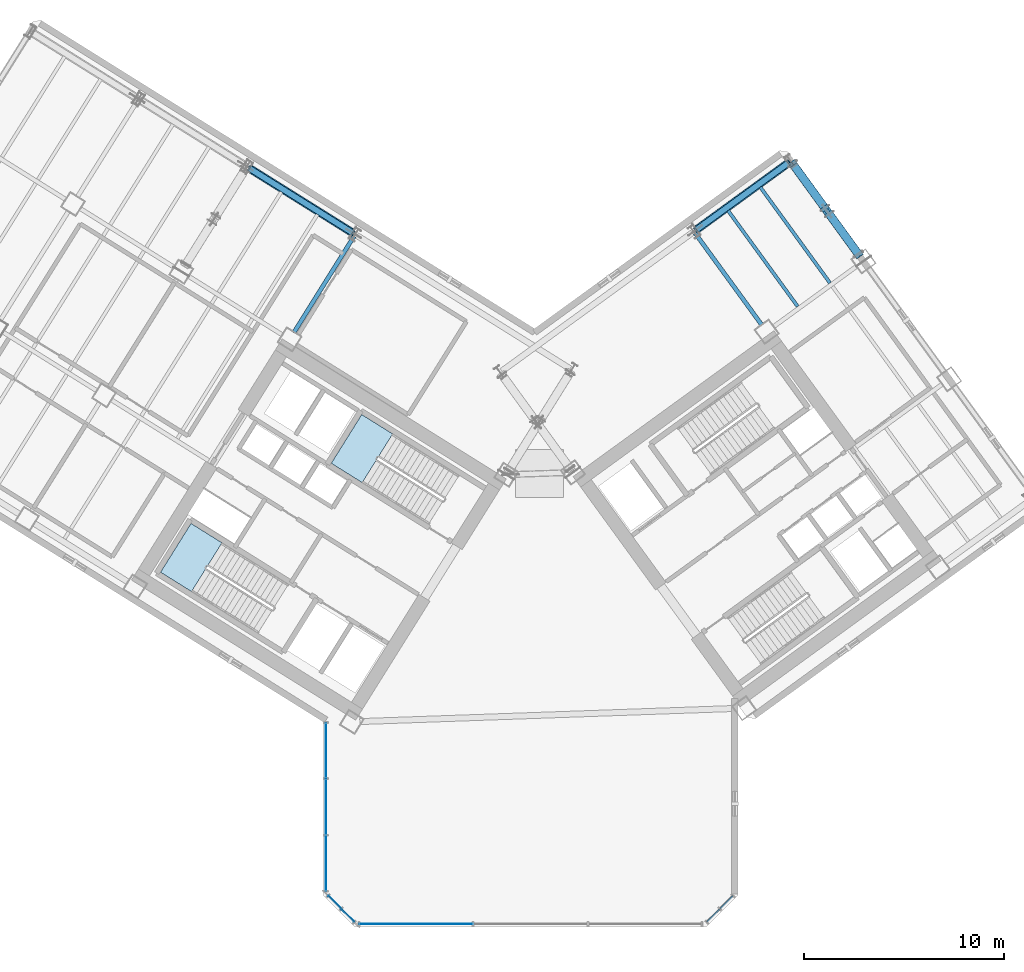
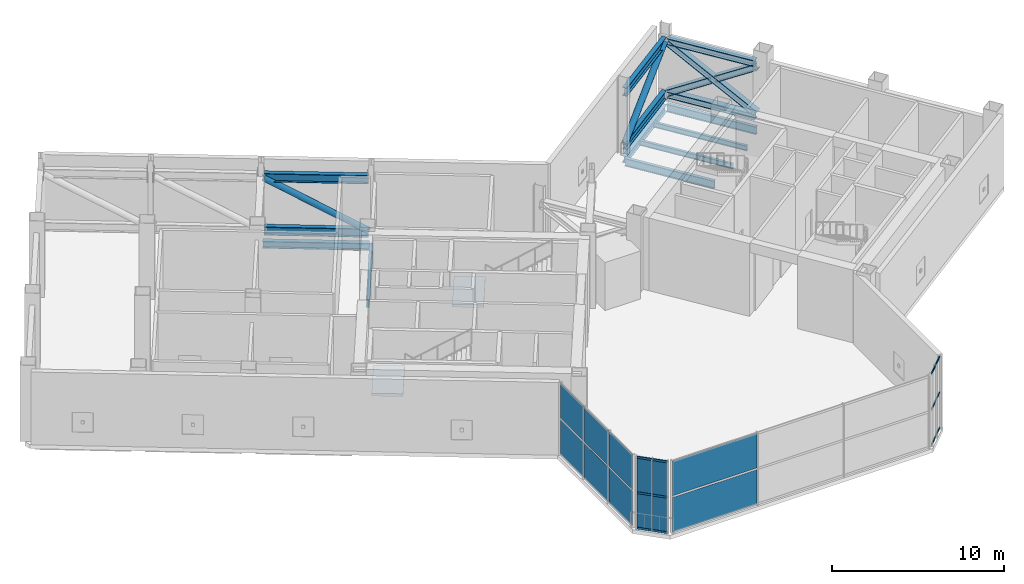
# One storey, part 8 of 21: 23 members, 12 plates, 7 beams, 2 slabs, 6 elements without a shape of their own.
"""IFC4 building model written with IfcOpenShell, lengths in metres."""

from ifc_helpers import new_model, si_unit, direction, frame, origin, origin_2d, place, context, subcontext, project, spatial, polyline, rectangle, hollow_rectangle, hollow_circle, i_section, outline, extrude, source, transform, mapped, material, layer, layer_set, material_profile, profile_set, type_object, element, aggregate, save


model = new_model("IFC4")

# Units and contexts
model_context = context("Model", 3, precision=1e-05, world=origin(), true_north=direction((0.0, 1.0)))
body_context = subcontext(model_context, "Body", "Model", "MODEL_VIEW")
ifc_project = project(units=[si_unit("LENGTHUNIT", "METRE"), si_unit("AREAUNIT", "SQUARE_METRE"), si_unit("VOLUMEUNIT", "CUBIC_METRE"), si_unit("PLANEANGLEUNIT", "RADIAN"), si_unit("MASSUNIT", "GRAM", prefix="KILO")], contexts=[model_context])

# Site, building, storey
site_placement = place(None, origin())
site = spatial("IfcSite", under=ifc_project, at=site_placement, CompositionType="ELEMENT")
building_placement = place(site_placement, origin())
building = spatial("IfcBuilding", under=site, at=building_placement, Name="Tlacorven Tower", CompositionType="ELEMENT")
storey_placement = place(building_placement, frame((0.0, 0.0, 84.60009765625)))
storey = spatial("IfcBuildingStorey", under=building, at=storey_placement, Name="L21", CompositionType="ELEMENT", Elevation=84.60009765625)

# Beams
ifc_material_1 = material(Name="Steel S355J2", Category="steel")
ifc_material_profile_1 = material_profile(ifc_material_1, i_section(OverallWidth=0.300048828125, OverallDepth=0.489990234375, WebThickness=0.011962890625, FlangeThickness=0.02294921875, at=origin_2d()), Name="HEA 500")
ifc_profile_set_1 = profile_set([ifc_material_profile_1], Name="Steel S355J2")
beam_type_1 = type_object("IfcBeamType", Name="BM-SPN-500", PredefinedType="SPANDREL", material=ifc_profile_set_1)
shared_shape_1 = source(origin(), body_context, "Body", "SweptSolid", [
    extrude(i_section(OverallWidth=0.300048828125, OverallDepth=0.489990234375, WebThickness=0.011962890625, FlangeThickness=0.02294921875, at=origin_2d()), origin(), (0.0, 0.0, 1.0), 6.199951171875),
])
beam_1_placement = place(storey_placement, frame((33.128662109375, 36.562255859375, -0.525146484375), z_axis=(-0.848051394107, 0.529913986372, 0.0), x_axis=(-0.529913986372, -0.848051394107, 0.0)))
element("IfcBeam", 1, at=beam_1_placement, inside=storey, type_object=beam_type_1, Name="L21 beam BM-L21-WL1-3", PredefinedType="SPANDREL", context=body_context, shape_type="MappedRepresentation", body=[
    mapped(shared_shape_1, transform((0.0, 0.0, 0.0), scale=1.0)),
])
shared_shape_2 = source(origin(), body_context, "Body", "SweptSolid", [
    extrude(i_section(OverallWidth=0.300048828125, OverallDepth=0.489990234375, WebThickness=0.011962890625, FlangeThickness=0.02294921875, at=origin_2d()), origin(), (0.0, 0.0, 1.0), 5.800048828125),
])
beam_2_placement = place(storey_placement, frame((50.2685546875, 36.713134765625, -0.525146484375), z_axis=(0.809019944521, 0.587781191743, 0.0), x_axis=(-0.587781191743, 0.809019944521, 0.0)))
element("IfcBeam", 2, at=beam_2_placement, inside=storey, type_object=beam_type_1, Name="L21 beam BM-L21-EL4-3", PredefinedType="SPANDREL", context=body_context, shape_type="MappedRepresentation", body=[
    mapped(shared_shape_2, transform((0.0, 0.0, 0.0), scale=1.0)),
])
ifc_material_profile_2 = material_profile(ifc_material_1, i_section(OverallWidth=0.2099609375, OverallDepth=0.550048828125, WebThickness=0.010986328125, FlangeThickness=0.01708984375, at=origin_2d()), Name="IPE 550")
ifc_profile_set_2 = profile_set([ifc_material_profile_2], Name="Steel S355J2")
beam_type_2 = type_object("IfcBeamType", Name="BM-TWR-550", PredefinedType="BEAM", material=ifc_profile_set_2)
shared_shape_3 = source(origin(), body_context, "Body", "SweptSolid", [
    extrude(i_section(OverallWidth=0.2099609375, OverallDepth=0.550048828125, WebThickness=0.010986328125, FlangeThickness=0.01708984375, at=origin_2d()), origin(), (0.0, 0.0, 1.0), 5.7001953125),
])
beam_3_placement = place(storey_placement, frame((33.160400390625, 36.424560546875, -0.55517578125), z_axis=(-0.529906537151, -0.848056048787, 0.0), x_axis=(0.848056048787, -0.529906537151, 0.0)))
element("IfcBeam", 3, at=beam_3_placement, inside=storey, type_object=beam_type_2, Name="L21 beam BM-L21-WT3-1", PredefinedType="BEAM", context=body_context, shape_type="MappedRepresentation", body=[
    mapped(shared_shape_3, transform((0.0, 0.0, 0.0), scale=1.0)),
])
shared_shape_4 = source(origin(), body_context, "Body", "SweptSolid", [
    extrude(i_section(OverallWidth=0.2099609375, OverallDepth=0.550048828125, WebThickness=0.010986328125, FlangeThickness=0.01708984375, at=origin_2d()), origin(), (0.0, 0.0, 1.0), 5.699951171875),
])
for number, where, z_axis, x_axis, name in (
    (4, (53.596923828125, 31.962158203125, -0.55517578125), (-0.587787066966, 0.809015675935, 0.0), (-0.809015675935, -0.587787066966, 0.0), "L21 beam BM-L21-ET3-2"),
    (5, (58.450927734375, 35.48876953125, -0.55517578125), (-0.587787066966, 0.809015675935, 0.0), (-0.809015675935, -0.587787066966, 0.0), "L21 beam BM-L21-ET4-3"),
):
    element("IfcBeam", number, at=place(storey_placement, frame(where, z_axis=z_axis, x_axis=x_axis)), inside=storey, type_object=beam_type_2, Name=name, PredefinedType="BEAM", context=body_context, shape_type="MappedRepresentation", body=[
        mapped(shared_shape_4, transform((0.0, 0.0, 0.0), scale=1.0)),
    ])
ifc_material_profile_3 = material_profile(ifc_material_1, i_section(OverallWidth=0.169921875, OverallDepth=0.360107421875, WebThickness=0.008056640625, FlangeThickness=0.0126953125, at=origin_2d()), Name="IPE 360")
ifc_profile_set_3 = profile_set([ifc_material_profile_3], Name="Steel S355J2")
beam_type_3 = type_object("IfcBeamType", Name="BM-JST-360", PredefinedType="JOIST", material=ifc_profile_set_3)
shared_shape_5 = source(origin(), body_context, "Body", "SweptSolid", [
    extrude(i_section(OverallWidth=0.169921875, OverallDepth=0.360107421875, WebThickness=0.008056640625, FlangeThickness=0.0126953125, at=origin_2d()), origin(), (0.0, 0.0, 1.0), 5.93505859375),
])
for number, where, z_axis, x_axis, name in (
    (6, (55.38525390625, 32.903076171875, -0.460205078125), (-0.58778762431, 0.809015270998, 0.0), (-0.809015270998, -0.58778762431, 0.0), "L21 beam BM-L21-EJ3-3-1"),
    (7, (57.00341796875, 34.07861328125, -0.460205078125), (-0.58778762431, 0.809015270998, 0.0), (-0.809015270998, -0.58778762431, 0.0), "L21 beam BM-L21-EJ3-3-2"),
):
    element("IfcBeam", number, at=place(storey_placement, frame(where, z_axis=z_axis, x_axis=x_axis)), inside=storey, type_object=beam_type_3, Name=name, PredefinedType="JOIST", context=body_context, shape_type="MappedRepresentation", body=[
        mapped(shared_shape_5, transform((0.0, 0.0, 0.0), scale=1.0)),
    ])

# Members
ifc_material_2 = material(Name="Steel S460M", Category="steel")
ifc_material_profile_4 = material_profile(ifc_material_2, i_section(OverallWidth=0.406005859375, OverallDepth=0.416015625, WebThickness=0.02099609375, FlangeThickness=0.032958984375, at=origin_2d()), Name="HD 400X382")
ifc_profile_set_4 = profile_set([ifc_material_profile_4], Name="Steel S460M")
member_type_1 = type_object("IfcMemberType", Name="MB-OUT-DIA", PredefinedType="BRACE", material=ifc_profile_set_4)
shared_shape_6 = source(origin(), body_context, "Body", "SweptSolid", [
    extrude(i_section(OverallWidth=0.406005859375, OverallDepth=0.416015625, WebThickness=0.02099609375, FlangeThickness=0.032958984375, at=origin_2d()), origin(), (0.0, 0.0, 1.0), 2.94580078125),
])
member_1_placement = place(storey_placement, frame((58.45263671875, 35.486328125, 3.98779296875), z_axis=(-0.501827001958, 0.690789110044, -0.520557456531), x_axis=(-0.809050779315, -0.587738748501, 0.0)))
element("IfcMember", 8, at=member_1_placement, inside=storey, type_object=member_type_1, Name="L21 Outrigger Truss Split Diagonal E2-2A", PredefinedType="BRACE", context=body_context, shape_type="MappedRepresentation", body=[
    mapped(shared_shape_6, transform((0.0, 0.0, 0.0), scale=1.0)),
])
shared_shape_7 = source(origin(), body_context, "Body", "SweptSolid", [
    extrude(i_section(OverallWidth=0.406005859375, OverallDepth=0.416015625, WebThickness=0.02099609375, FlangeThickness=0.032958984375, at=origin_2d()), origin(), (0.0, 0.0, 1.0), 3.24560546875),
])
member_2_placement = place(storey_placement, frame((56.75341796875, 37.8251953125, 2.225341796875), z_axis=(-0.501881914989, 0.690764632096, -0.52053699816), x_axis=(-0.809010292828, -0.58779447607, 0.0)))
element("IfcMember", 9, at=member_2_placement, inside=storey, type_object=member_type_1, Name="L21 Outrigger Truss Split Diagonal E2-2B", PredefinedType="BRACE", context=body_context, shape_type="MappedRepresentation", body=[
    mapped(shared_shape_7, transform((0.0, 0.0, 0.0), scale=1.0)),
])
ifc_material_profile_5 = material_profile(ifc_material_2, i_section(OverallWidth=0.300048828125, OverallDepth=0.60009765625, WebThickness=0.015380859375, FlangeThickness=0.030029296875, at=origin_2d()), Name="HEB 600")
ifc_profile_set_5 = profile_set([ifc_material_profile_5], Name="Steel S460M")
member_type_2 = type_object("IfcMemberType", Name="MB-BLT-CHD", PredefinedType="CHORD", material=ifc_profile_set_5)
shared_shape_8 = source(origin(), body_context, "Body", "SweptSolid", [
    extrude(i_section(OverallWidth=0.300048828125, OverallDepth=0.60009765625, WebThickness=0.015380859375, FlangeThickness=0.030029296875, at=origin_2d()), origin(), (0.0, 0.0, 1.0), 6.070068359375),
])
for number, where, z_axis, x_axis, name in (
    (10, (33.073486328125, 36.5966796875, 0.449951171875), (-0.848054789024, 0.529908553255, 0.0), (-0.529908553255, -0.848054789024, 0.0), "L21 Belt Truss Chord W1-B"),
    (11, (33.073486328125, 36.5966796875, 4.22998046875), (-0.848054789024, 0.529908553255, 0.0), (-0.529908553255, -0.848054789024, 0.0), "L21 Belt Truss Chord W1-T"),
):
    element("IfcMember", number, at=place(storey_placement, frame(where, z_axis=z_axis, x_axis=x_axis)), inside=storey, type_object=member_type_2, Name=name, PredefinedType="CHORD", context=body_context, shape_type="MappedRepresentation", body=[
        mapped(shared_shape_8, transform((0.0, 0.0, 0.0), scale=1.0)),
    ])
ifc_material_profile_6 = material_profile(ifc_material_2, hollow_circle(Radius=0.203125, WallThickness=0.02001953125, at=origin_2d()), Name="CHS 406.4X20")
ifc_profile_set_6 = profile_set([ifc_material_profile_6], Name="Steel S460M")
member_type_3 = type_object("IfcMemberType", Name="MB-BLT-DIA", PredefinedType="BRACE", material=ifc_profile_set_6)
shared_shape_9 = source(origin(), body_context, "Body", "SweptSolid", [
    extrude(hollow_circle(Radius=0.203125, WallThickness=0.02001953125, at=origin_2d()), origin(), (0.0, 0.0, 1.0), 7.06298828125),
])
member_3_placement = place(storey_placement, frame((33.078369140625, 36.59375, 0.5439453125), z_axis=(-0.730209253241, 0.456272764155, 0.508536735322), x_axis=(-0.529908724419, -0.848054682072, 0.0)))
element("IfcMember", 12, at=member_3_placement, inside=storey, type_object=member_type_3, Name="L21 Belt Truss Diagonal W1-1", PredefinedType="BRACE", context=body_context, shape_type="MappedRepresentation", body=[
    mapped(shared_shape_9, transform((0.0, 0.0, 0.0), scale=1.0)),
])
ifc_material_profile_7 = material_profile(ifc_material_2, i_section(OverallWidth=0.412109375, OverallDepth=0.43505859375, WebThickness=0.02490234375, FlangeThickness=0.0400390625, at=origin_2d()), Name="HD 400X463")
ifc_profile_set_7 = profile_set([ifc_material_profile_7], Name="Steel S460M")
member_type_4 = type_object("IfcMemberType", Name="MB-OUT-CHD", PredefinedType="CHORD", material=ifc_profile_set_7)
shared_shape_10 = source(origin(), body_context, "Body", "SweptSolid", [
    extrude(i_section(OverallWidth=0.412109375, OverallDepth=0.43505859375, WebThickness=0.02490234375, FlangeThickness=0.0400390625, at=origin_2d()), origin(), (0.0, 0.0, 1.0), 5.5703125),
])
for number, where, z_axis, x_axis, name in (
    (13, (58.412841796875, 35.541259765625, 0.449951171875), (-0.587798965043, 0.809007031301, 0.0), (-0.809007031301, -0.587798965043, 0.0), "L21 Outrigger Truss Chord E2-B"),
    (14, (58.412841796875, 35.541259765625, 4.22998046875), (-0.587798965043, 0.809007031301, 0.0), (-0.809007031301, -0.587798965043, 0.0), "L21 Outrigger Truss Chord E2-T"),
):
    element("IfcMember", number, at=place(storey_placement, frame(where, z_axis=z_axis, x_axis=x_axis)), inside=storey, type_object=member_type_4, Name=name, PredefinedType="CHORD", context=body_context, shape_type="MappedRepresentation", body=[
        mapped(shared_shape_10, transform((0.0, 0.0, 0.0), scale=1.0)),
    ])
shared_shape_11 = source(origin(), body_context, "Body", "SweptSolid", [
    extrude(i_section(OverallWidth=0.406005859375, OverallDepth=0.416015625, WebThickness=0.02099609375, FlangeThickness=0.032958984375, at=origin_2d()), origin(), (0.0, 0.0, 1.0), 6.631591796875),
])
member_4_placement = place(storey_placement, frame((58.45263671875, 35.486328125, 0.69189453125), z_axis=(-0.50186165517, 0.690759260267, 0.520563659339), x_axis=(-0.809019402593, -0.587781937651, 0.0)))
element("IfcMember", 15, at=member_4_placement, inside=storey, type_object=member_type_1, Name="L21 Outrigger Truss Diagonal E2-1", PredefinedType="BRACE", context=body_context, shape_type="MappedRepresentation", body=[
    mapped(shared_shape_11, transform((0.0, 0.0, 0.0), scale=1.0)),
])
shared_shape_12 = source(origin(), body_context, "Body", "SweptSolid", [
    extrude(i_section(OverallWidth=0.300048828125, OverallDepth=0.60009765625, WebThickness=0.015380859375, FlangeThickness=0.030029296875, at=origin_2d()), origin(), (0.0, 0.0, 1.0), 5.669921875),
])
for number, where, z_axis, x_axis, name in (
    (16, (50.3212890625, 36.75146484375, 0.449951171875), (0.809002272195, 0.587805515102, 0.0), (-0.587805515102, 0.809002272195, 0.0), "L21 Belt Truss Chord E1-B"),
    (17, (50.3212890625, 36.75146484375, 4.22998046875), (0.809002272195, 0.587805515102, 0.0), (-0.587805515102, 0.809002272195, 0.0), "L21 Belt Truss Chord E1-T"),
):
    element("IfcMember", number, at=place(storey_placement, frame(where, z_axis=z_axis, x_axis=x_axis)), inside=storey, type_object=member_type_2, Name=name, PredefinedType="CHORD", context=body_context, shape_type="MappedRepresentation", body=[
        mapped(shared_shape_12, transform((0.0, 0.0, 0.0), scale=1.0)),
    ])
shared_shape_13 = source(origin(), body_context, "Body", "SweptSolid", [
    extrude(hollow_circle(Radius=0.203125, WallThickness=0.02001953125, at=origin_2d()), origin(), (0.0, 0.0, 1.0), 6.721435546875),
])
member_5_placement = place(storey_placement, frame((50.314208984375, 36.746337890625, 0.548583984375), z_axis=(0.684499051971, 0.497328788516, 0.533033886319), x_axis=(-0.587793851887, 0.809010746334, 0.0)))
element("IfcMember", 18, at=member_5_placement, inside=storey, type_object=member_type_3, Name="L21 Belt Truss Diagonal E1-1", PredefinedType="BRACE", context=body_context, shape_type="MappedRepresentation", body=[
    mapped(shared_shape_13, transform((0.0, 0.0, 0.0), scale=1.0)),
])

# Curtain wall, members
ifc_material_3 = material(Name="Dark solar low-E double glazing in aluminium frame", Category="aluminium")
curtain_wall_type = type_object("IfcCurtainWallType", Name="CW-TWR-LOW", PredefinedType="USERDEFINED", material=ifc_material_3)
curtain_wall_1_placement = place(storey_placement, origin())
curtain_wall_1 = element("IfcCurtainWall", 19, at=curtain_wall_1_placement, inside=storey, type_object=curtain_wall_type, Name="L21 CW-TWR-LOW Curtain Wall 111", ObjectType="UNITISED CURTAIN WALL", PredefinedType="USERDEFINED")
ifc_material_4 = material(Name="Aluminium 6063-T6 anodised", Category="aluminium")
ifc_material_profile_8 = material_profile(ifc_material_4, hollow_rectangle(XDim=0.06005859375, YDim=0.139892578125, WallThickness=0.00390625, at=origin_2d()), Name="ALU TRANSOM 60X140")
ifc_profile_set_8 = profile_set([ifc_material_profile_8], Name="Aluminium 6063-T6 anodised")
member_type_5 = type_object("IfcMemberType", Name="CWT-02", PredefinedType="USERDEFINED", material=ifc_profile_set_8)
shared_shape_14 = source(origin(), body_context, "Body", "SweptSolid", [
    extrude(hollow_rectangle(XDim=0.06005859375, YDim=0.139892578125, WallThickness=0.00390625, at=origin_2d()), origin(), (0.0, 0.0, 1.0), 0.8837890625),
])
member_6_placement = place(storey_placement, frame((52.128173828125, 3.3544921875, 0.06982421875), z_axis=(-0.707106781187, -0.707106781187, 0.0), x_axis=(0.707106781187, -0.707106781187, 0.0)))
member_6 = element("IfcMember", 20, at=member_6_placement, type_object=member_type_5, Name="CW-L21-111 Transom 1", ObjectType="TRANSOM", PredefinedType="USERDEFINED", context=body_context, shape_type="MappedRepresentation", body=[
    mapped(shared_shape_14, transform((0.0, 0.0, 0.0), scale=1.0)),
])
member_7_placement = place(storey_placement, frame((52.128173828125, 3.3544921875, 2.574951171875), z_axis=(-0.707106781187, -0.707106781187, 0.0), x_axis=(0.707106781187, -0.707106781187, 0.0)))
member_7 = element("IfcMember", 21, at=member_7_placement, type_object=member_type_5, Name="CW-L21-111 Transom 2", ObjectType="TRANSOM", PredefinedType="USERDEFINED", context=body_context, shape_type="MappedRepresentation", body=[
    mapped(shared_shape_14, transform((0.0, 0.0, 0.0), scale=1.0)),
])
member_8_placement = place(storey_placement, frame((52.128173828125, 3.3544921875, 5.079833984375), z_axis=(-0.707106781187, -0.707106781187, 0.0), x_axis=(0.707106781187, -0.707106781187, 0.0)))
member_8 = element("IfcMember", 22, at=member_8_placement, type_object=member_type_5, Name="CW-L21-111 Transom 3", ObjectType="TRANSOM", PredefinedType="USERDEFINED", context=body_context, shape_type="MappedRepresentation", body=[
    mapped(shared_shape_14, transform((0.0, 0.0, 0.0), scale=1.0)),
])

curtain_wall_2_placement = place(storey_placement, origin())
curtain_wall_2 = element("IfcCurtainWall", 23, at=curtain_wall_2_placement, inside=storey, type_object=curtain_wall_type, Name="L21 CW-TWR-LOW Curtain Wall 113", ObjectType="UNITISED CURTAIN WALL", PredefinedType="USERDEFINED")
member_9_placement = place(storey_placement, frame((32.496826171875, 2.7294921875, 0.06982421875), z_axis=(-0.707106781187, 0.707106781187, 0.0), x_axis=(-0.707106781187, -0.707106781187, 0.0)))
member_9 = element("IfcMember", 24, at=member_9_placement, type_object=member_type_5, Name="CW-L21-113 Transom 4", ObjectType="TRANSOM", PredefinedType="USERDEFINED", context=body_context, shape_type="MappedRepresentation", body=[
    mapped(shared_shape_14, transform((0.0, 0.0, 0.0), scale=1.0)),
])
member_10_placement = place(storey_placement, frame((32.496826171875, 2.7294921875, 2.574951171875), z_axis=(-0.707106781187, 0.707106781187, 0.0), x_axis=(-0.707106781187, -0.707106781187, 0.0)))
member_10 = element("IfcMember", 25, at=member_10_placement, type_object=member_type_5, Name="CW-L21-113 Transom 5", ObjectType="TRANSOM", PredefinedType="USERDEFINED", context=body_context, shape_type="MappedRepresentation", body=[
    mapped(shared_shape_14, transform((0.0, 0.0, 0.0), scale=1.0)),
])
member_11_placement = place(storey_placement, frame((32.496826171875, 2.7294921875, 5.079833984375), z_axis=(-0.707106781187, 0.707106781187, 0.0), x_axis=(-0.707106781187, -0.707106781187, 0.0)))
member_11 = element("IfcMember", 26, at=member_11_placement, type_object=member_type_5, Name="CW-L21-113 Transom 6", ObjectType="TRANSOM", PredefinedType="USERDEFINED", context=body_context, shape_type="MappedRepresentation", body=[
    mapped(shared_shape_14, transform((0.0, 0.0, 0.0), scale=1.0)),
])

# Member
shared_shape_15 = source(origin(), body_context, "Body", "SweptSolid", [
    extrude(hollow_rectangle(XDim=0.06005859375, YDim=0.139892578125, WallThickness=0.00390625, at=origin_2d()), origin(), (0.0, 0.0, 1.0), 0.884033203125),
])
member_12_placement = place(storey_placement, frame((51.470703125, 2.69677734375, 0.06982421875), z_axis=(-0.707244847527, -0.706968687883, 0.0), x_axis=(0.706968687883, -0.707244847527, 0.0)))
member_12 = element("IfcMember", 27, at=member_12_placement, type_object=member_type_5, Name="CW-L21-111 Transom 4", ObjectType="TRANSOM", PredefinedType="USERDEFINED", context=body_context, shape_type="MappedRepresentation", body=[
    mapped(shared_shape_15, transform((0.0, 0.0, 0.0), scale=1.0)),
])

member_13_placement = place(storey_placement, frame((51.470703125, 2.69677734375, 2.574951171875), z_axis=(-0.707244847527, -0.706968687883, 0.0), x_axis=(0.706968687883, -0.707244847527, 0.0)))
member_13 = element("IfcMember", 28, at=member_13_placement, type_object=member_type_5, Name="CW-L21-111 Transom 5", ObjectType="TRANSOM", PredefinedType="USERDEFINED", context=body_context, shape_type="MappedRepresentation", body=[
    mapped(shared_shape_15, transform((0.0, 0.0, 0.0), scale=1.0)),
])

member_14_placement = place(storey_placement, frame((51.470703125, 2.69677734375, 5.079833984375), z_axis=(-0.707244847527, -0.706968687883, 0.0), x_axis=(0.706968687883, -0.707244847527, 0.0)))
member_14 = element("IfcMember", 29, at=member_14_placement, type_object=member_type_5, Name="CW-L21-111 Transom 6", ObjectType="TRANSOM", PredefinedType="USERDEFINED", context=body_context, shape_type="MappedRepresentation", body=[
    mapped(shared_shape_15, transform((0.0, 0.0, 0.0), scale=1.0)),
])

aggregate(curtain_wall_1, [member_6, member_7, member_8, member_12, member_13, member_14])

member_15_placement = place(storey_placement, frame((33.154541015625, 2.07177734375, 0.06982421875), z_axis=(-0.707244847527, 0.706968687883, 0.0), x_axis=(-0.706968687883, -0.707244847527, 0.0)))
member_15 = element("IfcMember", 30, at=member_15_placement, type_object=member_type_5, Name="CW-L21-113 Transom 1", ObjectType="TRANSOM", PredefinedType="USERDEFINED", context=body_context, shape_type="MappedRepresentation", body=[
    mapped(shared_shape_15, transform((0.0, 0.0, 0.0), scale=1.0)),
])

member_16_placement = place(storey_placement, frame((33.154541015625, 2.07177734375, 2.574951171875), z_axis=(-0.707244847527, 0.706968687883, 0.0), x_axis=(-0.706968687883, -0.707244847527, 0.0)))
member_16 = element("IfcMember", 31, at=member_16_placement, type_object=member_type_5, Name="CW-L21-113 Transom 2", ObjectType="TRANSOM", PredefinedType="USERDEFINED", context=body_context, shape_type="MappedRepresentation", body=[
    mapped(shared_shape_15, transform((0.0, 0.0, 0.0), scale=1.0)),
])

member_17_placement = place(storey_placement, frame((33.154541015625, 2.07177734375, 5.079833984375), z_axis=(-0.707244847527, 0.706968687883, 0.0), x_axis=(-0.706968687883, -0.707244847527, 0.0)))
member_17 = element("IfcMember", 32, at=member_17_placement, type_object=member_type_5, Name="CW-L21-113 Transom 3", ObjectType="TRANSOM", PredefinedType="USERDEFINED", context=body_context, shape_type="MappedRepresentation", body=[
    mapped(shared_shape_15, transform((0.0, 0.0, 0.0), scale=1.0)),
])

# Stair, slab
ifc_material_5 = material(Name="Concrete C40/50", Category="concrete")
stair_type = type_object("IfcStairType", Name="ST-CORE-DLG", PredefinedType="HALF_TURN_STAIR", material=ifc_material_5)
stair_1_placement = place(storey_placement, origin())
stair_1 = element("IfcStair", 33, at=stair_1_placement, inside=storey, type_object=stair_type, Name="L21 Protected Exit Stair West 1", PredefinedType="HALF_TURN_STAIR")
ifc_layer_1 = layer(ifc_material_5, 0.199951171875)
ifc_layer_set_1 = layer_set([ifc_layer_1], Name="Concrete C40/50")
slab_type = type_object("IfcSlabType", Name="SL-LND-200", PredefinedType="LANDING", material=ifc_layer_set_1)
slab_1_placement = place(storey_placement, frame((0.0, 0.0, 2.5)))
slab_1 = element("IfcSlab", 34, at=slab_1_placement, type_object=slab_type, Name="ST-W1 landing 1", PredefinedType="LANDING", context=body_context, shape_type="SweptSolid", body=[
    extrude(outline(polyline([(26.541259765625, 21.05712890625), (24.9892578125, 22.02685546875), (23.463134765625, 19.58447265625), (25.014892578125, 18.61474609375), (26.541259765625, 21.05712890625)])), origin(), (0.0, 0.0, 1.0), 0.199951171875),
])
aggregate(stair_1, [slab_1])

stair_2_placement = place(storey_placement, origin())
stair_2 = element("IfcStair", 35, at=stair_2_placement, inside=storey, type_object=stair_type, Name="L21 Protected Exit Stair West 2", PredefinedType="HALF_TURN_STAIR")
slab_2_placement = place(storey_placement, frame((0.0, 0.0, 2.5)))
slab_2 = element("IfcSlab", 36, at=slab_2_placement, type_object=slab_type, Name="ST-W2 landing 1", PredefinedType="LANDING", context=body_context, shape_type="SweptSolid", body=[
    extrude(outline(polyline([(35.0927734375, 26.5146484375), (33.540771484375, 27.484375), (32.0146484375, 25.0419921875), (33.56640625, 24.072265625), (35.0927734375, 26.5146484375)])), origin(), (0.0, 0.0, 1.0), 0.199951171875),
])
aggregate(stair_2, [slab_2])

# Plate
ifc_material_6 = material(Name="Dark solar double low-E glazing", Category="glass")
ifc_layer_2 = layer(ifc_material_6, 0.031982421875)
ifc_layer_set_2 = layer_set([ifc_layer_2], Name="Dark solar double low-E glazing")
plate_type = type_object("IfcPlateType", Name="CWP-02", PredefinedType="CURTAIN_PANEL", material=ifc_layer_set_2)
shared_shape_16 = source(origin(), body_context, "Body", "SweptSolid", [
    extrude(rectangle(XDim=0.878173828125, YDim=0.031982421875, at=origin_2d()), origin(), (0.0, 0.0, 1.0), 2.452880859375),
])
plate_1_placement = place(storey_placement, frame((32.842041015625, 2.38427734375, 0.06103515625), z_axis=(0.0, 0.0, 1.0), x_axis=(-0.707106781187, 0.707106781187, 0.0)))
plate_1 = element("IfcPlate", 37, at=plate_1_placement, type_object=plate_type, Name="CW-L21-113 Glazing Panel 1", PredefinedType="CURTAIN_PANEL", context=body_context, shape_type="MappedRepresentation", body=[
    mapped(shared_shape_16, transform((0.0, 0.0, 0.0), scale=1.0)),
])

plate_2_placement = place(storey_placement, frame((32.842041015625, 2.38427734375, 2.6357421875), z_axis=(0.0, 0.0, 1.0), x_axis=(-0.707106781187, 0.707106781187, 0.0)))
plate_2 = element("IfcPlate", 38, at=plate_2_placement, type_object=plate_type, Name="CW-L21-113 Glazing Panel 2", PredefinedType="CURTAIN_PANEL", context=body_context, shape_type="MappedRepresentation", body=[
    mapped(shared_shape_16, transform((0.0, 0.0, 0.0), scale=1.0)),
])

plate_3_placement = place(storey_placement, frame((32.184326171875, 3.0419921875, 0.06103515625), z_axis=(0.0, 0.0, 1.0), x_axis=(-0.707106781187, 0.707106781187, 0.0)))
plate_3 = element("IfcPlate", 39, at=plate_3_placement, type_object=plate_type, Name="CW-L21-113 Glazing Panel 3", PredefinedType="CURTAIN_PANEL", context=body_context, shape_type="MappedRepresentation", body=[
    mapped(shared_shape_16, transform((0.0, 0.0, 0.0), scale=1.0)),
])

plate_4_placement = place(storey_placement, frame((32.184326171875, 3.0419921875, 2.6357421875), z_axis=(0.0, 0.0, 1.0), x_axis=(-0.707106781187, 0.707106781187, 0.0)))
plate_4 = element("IfcPlate", 40, at=plate_4_placement, type_object=plate_type, Name="CW-L21-113 Glazing Panel 4", PredefinedType="CURTAIN_PANEL", context=body_context, shape_type="MappedRepresentation", body=[
    mapped(shared_shape_16, transform((0.0, 0.0, 0.0), scale=1.0)),
])

aggregate(curtain_wall_2, [member_15, member_16, member_17, plate_1, plate_2, member_9, member_10, member_11, plate_3, plate_4])

# Curtain wall, plates
curtain_wall_3_placement = place(storey_placement, origin())
curtain_wall_3 = element("IfcCurtainWall", 41, at=curtain_wall_3_placement, inside=storey, type_object=curtain_wall_type, Name="L21 CW-TWR-LOW Curtain Wall 112", ObjectType="UNITISED CURTAIN WALL", PredefinedType="USERDEFINED")
shared_shape_17 = source(origin(), body_context, "Body", "SweptSolid", [
    extrude(rectangle(XDim=5.668701171875, YDim=0.031982421875, at=origin_2d()), origin(), (0.0, 0.0, 1.0), 2.452880859375),
])
plate_5_placement = place(storey_placement, frame((36.26171875, 1.9599609375, 0.06103515625), z_axis=(0.0, 0.0, 1.0), x_axis=(-1.0, 0.0, 0.0)))
plate_5 = element("IfcPlate", 42, at=plate_5_placement, type_object=plate_type, Name="CW-L21-112 Glazing Panel 5", PredefinedType="CURTAIN_PANEL", context=body_context, shape_type="MappedRepresentation", body=[
    mapped(shared_shape_17, transform((0.0, 0.0, 0.0), scale=1.0)),
])
plate_6_placement = place(storey_placement, frame((36.26171875, 1.9599609375, 2.6357421875), z_axis=(0.0, 0.0, 1.0), x_axis=(-1.0, 0.0, 0.0)))
plate_6 = element("IfcPlate", 43, at=plate_6_placement, type_object=plate_type, Name="CW-L21-112 Glazing Panel 6", PredefinedType="CURTAIN_PANEL", context=body_context, shape_type="MappedRepresentation", body=[
    mapped(shared_shape_17, transform((0.0, 0.0, 0.0), scale=1.0)),
])
aggregate(curtain_wall_3, [plate_5, plate_6])

curtain_wall_4_placement = place(storey_placement, origin())
curtain_wall_4 = element("IfcCurtainWall", 44, at=curtain_wall_4_placement, inside=storey, type_object=curtain_wall_type, Name="L21 CW-TWR-LOW Curtain Wall 114", ObjectType="UNITISED CURTAIN WALL", PredefinedType="USERDEFINED")
shared_shape_18 = source(origin(), body_context, "Body", "SweptSolid", [
    extrude(rectangle(XDim=2.751953125, YDim=0.031982421875, at=origin_2d()), origin(), (0.0, 0.0, 1.0), 2.452880859375),
])
plate_7_placement = place(storey_placement, frame((31.760009765625, 5.003173828125, 0.06103515625), z_axis=(0.0, 0.0, 1.0), x_axis=(0.0, 1.0, 0.0)))
plate_7 = element("IfcPlate", 45, at=plate_7_placement, type_object=plate_type, Name="CW-L21-114 Glazing Panel 1", PredefinedType="CURTAIN_PANEL", context=body_context, shape_type="MappedRepresentation", body=[
    mapped(shared_shape_18, transform((0.0, 0.0, 0.0), scale=1.0)),
])
plate_8_placement = place(storey_placement, frame((31.760009765625, 5.003173828125, 2.6357421875), z_axis=(0.0, 0.0, 1.0), x_axis=(0.0, 1.0, 0.0)))
plate_8 = element("IfcPlate", 46, at=plate_8_placement, type_object=plate_type, Name="CW-L21-114 Glazing Panel 2", PredefinedType="CURTAIN_PANEL", context=body_context, shape_type="MappedRepresentation", body=[
    mapped(shared_shape_18, transform((0.0, 0.0, 0.0), scale=1.0)),
])
plate_9_placement = place(storey_placement, frame((31.760009765625, 10.64599609375, 0.06103515625), z_axis=(0.0, 0.0, 1.0), x_axis=(0.0, 1.0, 0.0)))
plate_9 = element("IfcPlate", 47, at=plate_9_placement, type_object=plate_type, Name="CW-L21-114 Glazing Panel 5", PredefinedType="CURTAIN_PANEL", context=body_context, shape_type="MappedRepresentation", body=[
    mapped(shared_shape_18, transform((0.0, 0.0, 0.0), scale=1.0)),
])
plate_10_placement = place(storey_placement, frame((31.760009765625, 10.64599609375, 2.6357421875), z_axis=(0.0, 0.0, 1.0), x_axis=(0.0, 1.0, 0.0)))
plate_10 = element("IfcPlate", 48, at=plate_10_placement, type_object=plate_type, Name="CW-L21-114 Glazing Panel 6", PredefinedType="CURTAIN_PANEL", context=body_context, shape_type="MappedRepresentation", body=[
    mapped(shared_shape_18, transform((0.0, 0.0, 0.0), scale=1.0)),
])
shared_shape_19 = source(origin(), body_context, "Body", "SweptSolid", [
    extrude(rectangle(XDim=2.786865234375, YDim=0.031982421875, at=origin_2d()), origin(), (0.0, 0.0, 1.0), 2.452880859375),
])
plate_11_placement = place(storey_placement, frame((31.760009765625, 7.82470703125, 0.06103515625), z_axis=(0.0, 0.0, 1.0), x_axis=(0.0, 1.0, 0.0)))
plate_11 = element("IfcPlate", 49, at=plate_11_placement, type_object=plate_type, Name="CW-L21-114 Glazing Panel 3", PredefinedType="CURTAIN_PANEL", context=body_context, shape_type="MappedRepresentation", body=[
    mapped(shared_shape_19, transform((0.0, 0.0, 0.0), scale=1.0)),
])
plate_12_placement = place(storey_placement, frame((31.760009765625, 7.82470703125, 2.6357421875), z_axis=(0.0, 0.0, 1.0), x_axis=(0.0, 1.0, 0.0)))
plate_12 = element("IfcPlate", 50, at=plate_12_placement, type_object=plate_type, Name="CW-L21-114 Glazing Panel 4", PredefinedType="CURTAIN_PANEL", context=body_context, shape_type="MappedRepresentation", body=[
    mapped(shared_shape_19, transform((0.0, 0.0, 0.0), scale=1.0)),
])
aggregate(curtain_wall_4, [plate_7, plate_8, plate_11, plate_12, plate_9, plate_10])

save(model, "model.ifc")
